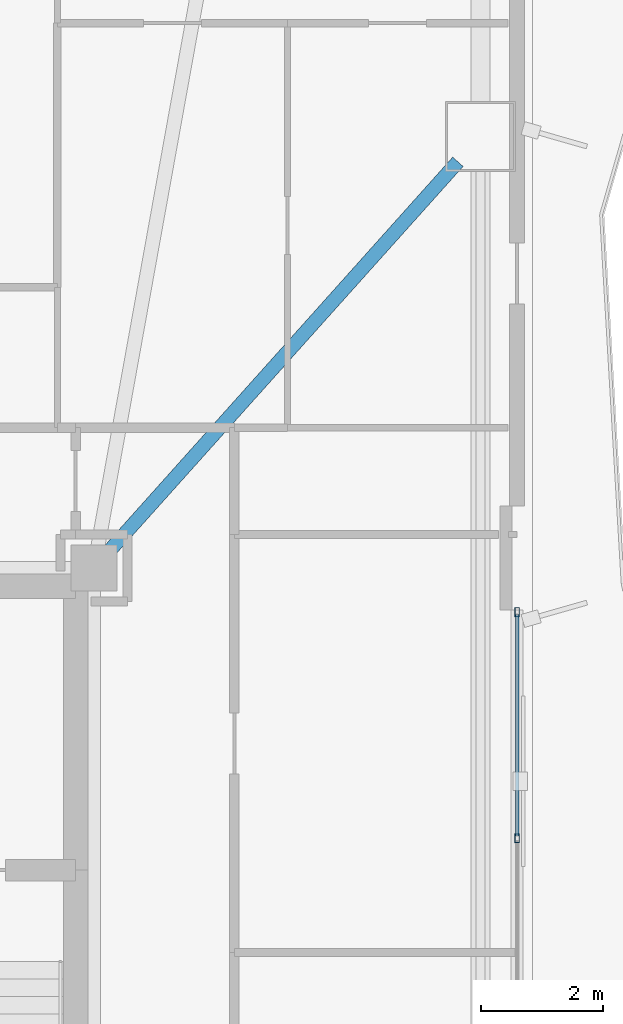
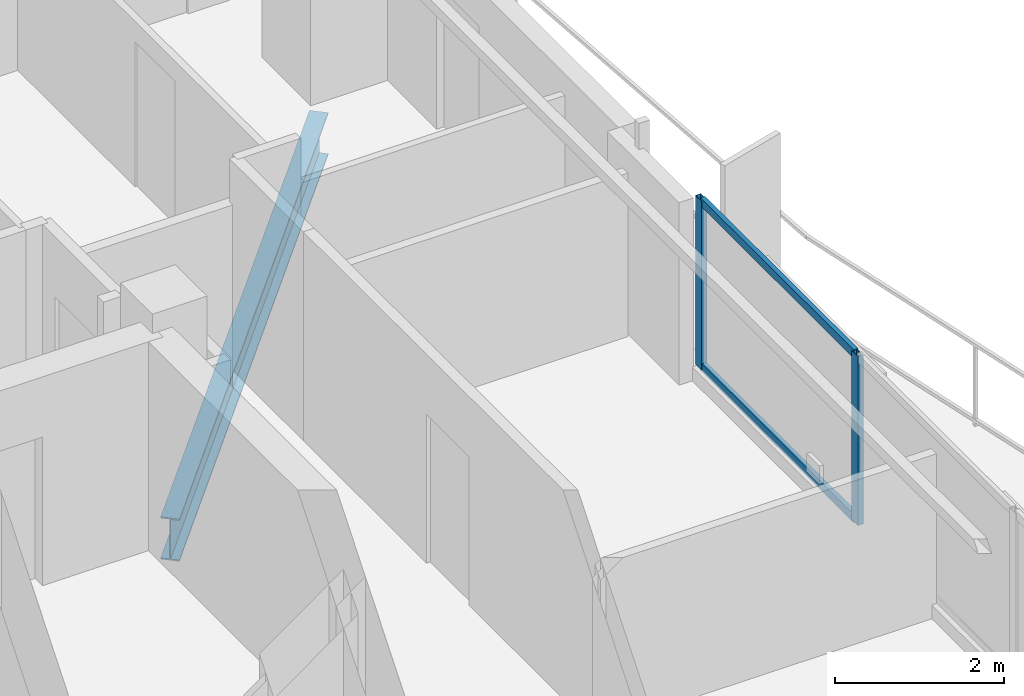
# One storey, part 10 of 22: 4 members, 1 beam, 1 element without a shape of its own.
"""IFC4 building model written with IfcOpenShell, lengths in metres."""

from ifc_helpers import new_model, si_unit, direction, frame, origin, origin_2d, place, context, subcontext, project, spatial, hollow_rectangle, i_section, extrude, material, layer, layer_set, material_profile, profile_set, type_object, element, aggregate, save


model = new_model("IFC4")

# Units and contexts
model_context = context("Model", 3, precision=1e-05, world=origin(), true_north=direction((0.0, 1.0)))
body_context = subcontext(model_context, "Body", "Model", "MODEL_VIEW")
ifc_project = project(units=[si_unit("LENGTHUNIT", "METRE"), si_unit("AREAUNIT", "SQUARE_METRE"), si_unit("VOLUMEUNIT", "CUBIC_METRE"), si_unit("PLANEANGLEUNIT", "RADIAN"), si_unit("MASSUNIT", "GRAM", prefix="KILO")], contexts=[model_context])

# Site, building, storey
site_placement = place(None, origin())
site = spatial("IfcSite", under=ifc_project, at=site_placement, CompositionType="ELEMENT")
building_placement = place(site_placement, origin())
building = spatial("IfcBuilding", under=site, at=building_placement, Name="Mersakhor Tower and Convention Hall", CompositionType="ELEMENT")
storey_placement = place(building_placement, frame((0.0, 0.0, 113.10009765625)))
storey = spatial("IfcBuildingStorey", under=building, at=storey_placement, Name="L31", CompositionType="ELEMENT", Elevation=113.10009765625)

# Beam
ifc_material_1 = material(Name="Steel S355", Category="steel")
ifc_material_profile_1 = material_profile(ifc_material_1, i_section(OverallWidth=0.22900390625, OverallDepth=0.6123046875, WebThickness=0.011962890625, FlangeThickness=0.01953125, at=origin_2d()), Name="UB 610x229x125")
ifc_profile_set_1 = profile_set([ifc_material_profile_1], Name="Steel S355")
beam_type = type_object("IfcBeamType", Name="BM-PR-610", PredefinedType="BEAM", material=ifc_profile_set_1)
beam_placement = place(storey_placement, frame((36.3369140625, 33.314453125, -0.55615234375), z_axis=(0.667217091819, 0.744863311209, 0.0), x_axis=(-0.744863311209, 0.667217091819, 0.0)))
element("IfcBeam", 1, at=beam_placement, inside=storey, type_object=beam_type, Name="L31 Primary Floor Girder FG-3", PredefinedType="BEAM", context=body_context, shape_type="SweptSolid", body=[
    extrude(i_section(OverallWidth=0.22900390625, OverallDepth=0.6123046875, WebThickness=0.011962890625, FlangeThickness=0.01953125, at=origin_2d()), origin(), (0.0, 0.0, 1.0), 8.583740234375),
])

# Curtain wall, members
ifc_material_2 = material(Name="Dark solar low-E aluminium curtain wall", Category="aluminium")
ifc_layer = layer(ifc_material_2, 0.159912109375)
ifc_layer_set = layer_set([ifc_layer], Name="Dark solar low-E aluminium curtain wall")
curtain_wall_type = type_object("IfcCurtainWallType", Name="CW-SYS-01", PredefinedType="USERDEFINED", material=ifc_layer_set)
curtain_wall_placement = place(storey_placement, origin())
curtain_wall = element("IfcCurtainWall", 2, at=curtain_wall_placement, inside=storey, type_object=curtain_wall_type, Name="L31 Dark-Glass Curtain Wall F2-B2", ObjectType="CURTAIN WALL", PredefinedType="USERDEFINED")
ifc_material_3 = material(Name="Anodised aluminium EN AW-6063 T6", Category="aluminium")
ifc_material_profile_2 = material_profile(ifc_material_3, hollow_rectangle(XDim=0.074951171875, YDim=0.14990234375, WallThickness=0.00634765625, at=origin_2d()), Name="RHS 150x75x6.3")
ifc_profile_set_2 = profile_set([ifc_material_profile_2], Name="Anodised aluminium EN AW-6063 T6")
member_type_1 = type_object("IfcMemberType", Name="CWM-150x75", PredefinedType="MULLION", material=ifc_profile_set_2)
member_1_placement = place(storey_placement, frame((43.03466796875, 32.327392578125, 0.199951171875), z_axis=(0.0, 0.0, 1.0), x_axis=(1.0, 0.0, 0.0)))
member_1 = element("IfcMember", 3, at=member_1_placement, type_object=member_type_1, Name="CW-01 mullion 1", PredefinedType="MULLION", context=body_context, shape_type="SweptSolid", body=[
    extrude(hollow_rectangle(XDim=0.074951171875, YDim=0.14990234375, WallThickness=0.00634765625, at=origin_2d()), origin(), (0.0, 0.0, 1.0), 2.43994140625),
])
member_2_placement = place(storey_placement, frame((43.03466796875, 28.62158203125, 0.199951171875), z_axis=(0.0, 0.0, 1.0), x_axis=(1.0, 0.0, 0.0)))
member_2 = element("IfcMember", 4, at=member_2_placement, type_object=member_type_1, Name="CW-01 mullion 2", PredefinedType="MULLION", context=body_context, shape_type="SweptSolid", body=[
    extrude(hollow_rectangle(XDim=0.074951171875, YDim=0.14990234375, WallThickness=0.00634765625, at=origin_2d()), origin(), (0.0, 0.0, 1.0), 2.43994140625),
])
ifc_material_4 = material(Name="Anodised aluminium EN AW-6063 T6", Category="aluminium")
ifc_material_profile_3 = material_profile(ifc_material_4, hollow_rectangle(XDim=0.06005859375, YDim=0.1201171875, WallThickness=0.0048828125, at=origin_2d()), Name="RHS 120x60x5")
ifc_profile_set_3 = profile_set([ifc_material_profile_3], Name="Anodised aluminium EN AW-6063 T6")
member_type_2 = type_object("IfcMemberType", Name="CWT-120x60", PredefinedType="USERDEFINED", material=ifc_profile_set_3)
member_3_placement = place(storey_placement, frame((43.03466796875, 32.289794921875, 0.22998046875), z_axis=(0.0, -1.0, 0.0), x_axis=(1.0, 0.0, 0.0)))
member_3 = element("IfcMember", 5, at=member_3_placement, type_object=member_type_2, Name="CW-01 transom 1.1", ObjectType="TRANSOM", PredefinedType="USERDEFINED", context=body_context, shape_type="SweptSolid", body=[
    extrude(hollow_rectangle(XDim=0.06005859375, YDim=0.1201171875, WallThickness=0.0048828125, at=origin_2d()), origin(), (0.0, 0.0, 1.0), 3.630615234375),
])
member_4_placement = place(storey_placement, frame((43.03466796875, 32.289794921875, 2.60986328125), z_axis=(0.0, -1.0, 0.0), x_axis=(1.0, 0.0, 0.0)))
member_4 = element("IfcMember", 6, at=member_4_placement, type_object=member_type_2, Name="CW-01 transom 1.2", ObjectType="TRANSOM", PredefinedType="USERDEFINED", context=body_context, shape_type="SweptSolid", body=[
    extrude(hollow_rectangle(XDim=0.06005859375, YDim=0.1201171875, WallThickness=0.0048828125, at=origin_2d()), origin(), (0.0, 0.0, 1.0), 3.630615234375),
])
aggregate(curtain_wall, [member_1, member_2, member_3, member_4])

save(model, "model.ifc")
